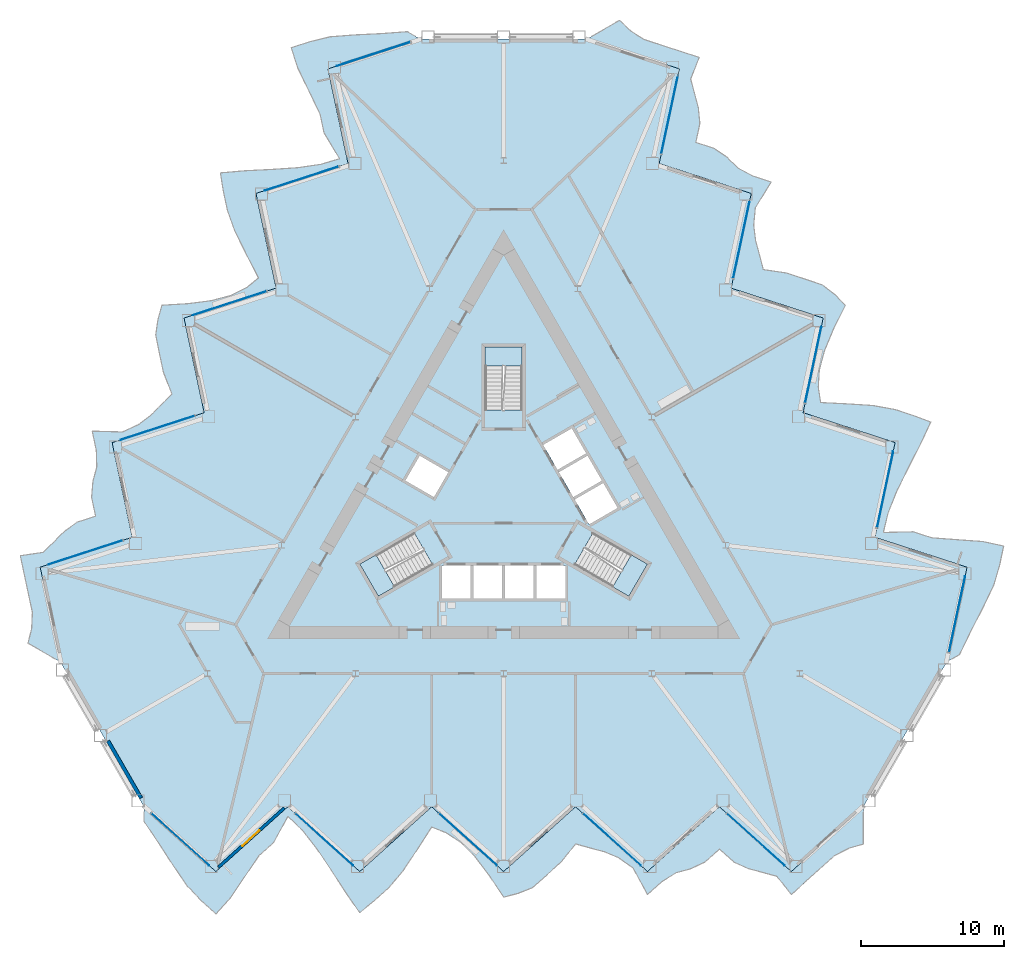
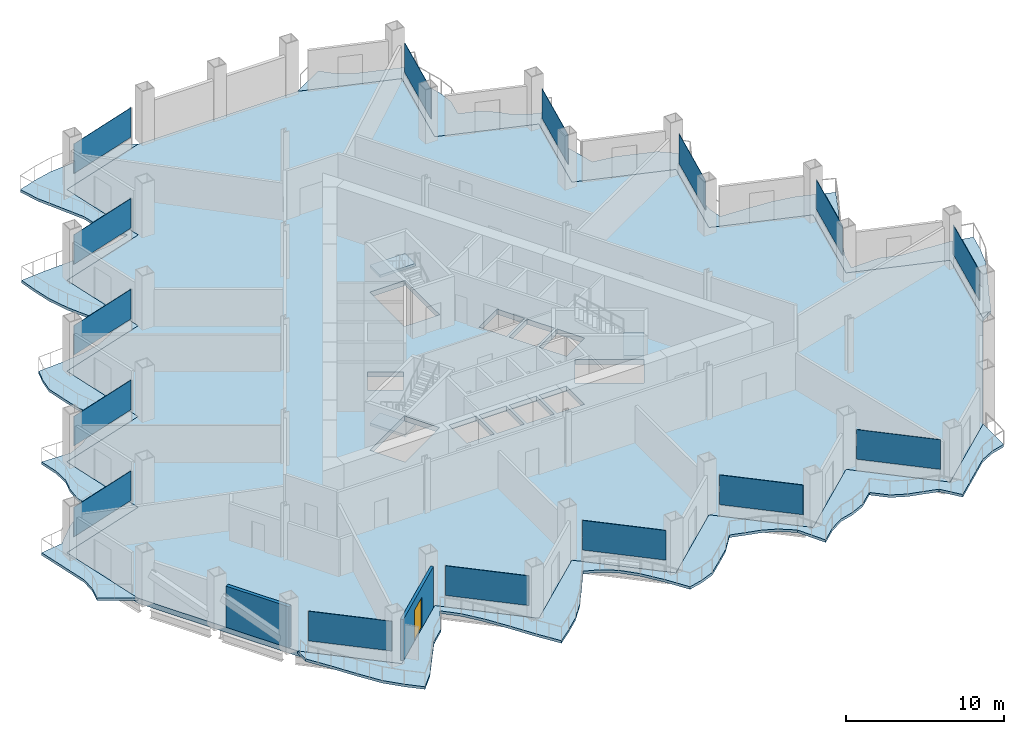
# One storey, part 9 of 21: 15 plates, 7 slabs, 2 walls, 1 door, 1 opening, 18 elements without a shape of their own.
"""IFC4 building model written with IfcOpenShell, lengths in metres."""

from ifc_helpers import new_model, si_unit, direction, frame, frame_2d, origin, origin_2d, place, context, subcontext, project, spatial, polyline, rectangle, outline, extrude, material, layer, layer_set, type_object, element, fill, aggregate, save


model = new_model("IFC4")

# Units and contexts
model_context = context("Model", 3, precision=1e-05, world=origin(), true_north=direction((0.0, 1.0)))
body_context = subcontext(model_context, "Body", "Model", "MODEL_VIEW")
ifc_project = project(units=[si_unit("LENGTHUNIT", "METRE"), si_unit("AREAUNIT", "SQUARE_METRE"), si_unit("VOLUMEUNIT", "CUBIC_METRE"), si_unit("PLANEANGLEUNIT", "RADIAN"), si_unit("MASSUNIT", "GRAM", prefix="KILO")], contexts=[model_context])

# Site, building, storey
site_placement = place(None, origin())
site = spatial("IfcSite", under=ifc_project, at=site_placement, CompositionType="ELEMENT")
building_placement = place(site_placement, origin())
building = spatial("IfcBuilding", under=site, at=building_placement, Name="Cormorant Prow Tower", CompositionType="ELEMENT")
storey_placement = place(building_placement, frame((0.0, 0.0, 120.60009765625)))
storey = spatial("IfcBuildingStorey", under=building, at=storey_placement, Name="L25", CompositionType="ELEMENT", Elevation=120.60009765625)

# Slabs
ifc_material_1 = material(Name="Concrete C40/50", Category="concrete")
ifc_layer_1 = layer(ifc_material_1, 0.199951171875)
ifc_layer_set_1 = layer_set([ifc_layer_1], Name="Concrete C40/50")
slab_type_1 = type_object("IfcSlabType", Name="Balcony slab 200", PredefinedType="FLOOR", material=ifc_layer_set_1)
slab_1_placement = place(storey_placement, frame((0.0, 0.0, -0.2001953125)))
element("IfcSlab", 1, at=slab_1_placement, inside=storey, type_object=slab_type_1, Name="Balcony slab S L25", PredefinedType="FLOOR", context=body_context, shape_type="SweptSolid", body=[
    extrude(outline(polyline([(-25.090087890625, -21.225341796875), (-25.090087890625, -22.241455078125), (-24.086669921875, -23.713623046875), (-23.0830078125, -25.2724609375), (-22.079345703125, -26.738037109375), (-21.07568359375, -27.7900390625), (-20.072021484375, -28.693603515625), (-19.068603515625, -27.58740234375), (-18.06494140625, -26.1025390625), (-17.061279296875, -24.6328125), (-16.0576171875, -23.72900390625), (-15.05419921875, -21.89892578125), (-14.050537109375, -22.848876953125), (-13.046875, -24.123046875), (-12.043212890625, -25.61962890625), (-11.039794921875, -27.17578125), (-10.0361328125, -28.6123046875), (-9.032470703125, -27.7900390625), (-8.02880859375, -26.886474609375), (-7.025146484375, -25.703125), (-6.021728515625, -24.19580078125), (-5.01806640625, -22.642578125), (-4.014404296875, -23.029541015625), (-3.0107421875, -23.69091796875), (-2.00732421875, -24.693359375), (-1.003662109375, -26.010009765625), (0.0, -27.527099609375), (1.003662109375, -27.26904296875), (2.00732421875, -26.865478515625), (3.0107421875, -25.982666015625), (4.014404296875, -25.0791015625), (5.01806640625, -23.81396484375), (6.021728515625, -24.09521484375), (7.025146484375, -24.3583984375), (8.02880859375, -24.779296875), (9.032470703125, -25.49072265625), (10.0361328125, -27.34375), (11.039794921875, -26.43994140625), (12.043212890625, -25.82080078125), (13.046875, -25.551513671875), (14.050537109375, -25.0791015625), (15.05419921875, -24.175537109375), (16.0576171875, -25.0791015625), (17.061279296875, -25.53466796875), (18.06494140625, -25.801513671875), (19.068603515625, -26.077880859375), (20.072021484375, -27.34375), (21.07568359375, -26.43994140625), (22.079345703125, -25.536376953125), (23.0830078125, -24.6328125), (24.086669921875, -24.1142578125), (25.090087890625, -23.829833984375), (25.090087890625, -21.225341796875), (24.086669921875, -22.129150390625), (23.0830078125, -23.03271484375), (22.079345703125, -23.936279296875), (21.07568359375, -24.840087890625), (20.072021484375, -25.74365234375), (19.068603515625, -24.840087890625), (18.06494140625, -23.936279296875), (17.061279296875, -23.03271484375), (16.0576171875, -22.129150390625), (15.05419921875, -21.225341796875), (14.050537109375, -22.129150390625), (13.046875, -23.03271484375), (12.043212890625, -23.936279296875), (11.039794921875, -24.840087890625), (10.0361328125, -25.74365234375), (9.032470703125, -24.840087890625), (8.02880859375, -23.936279296875), (7.025146484375, -23.03271484375), (6.021728515625, -22.129150390625), (5.01806640625, -21.225341796875), (4.014404296875, -22.129150390625), (3.0107421875, -23.03271484375), (2.00732421875, -23.936279296875), (1.003662109375, -24.840087890625), (0.0, -25.74365234375), (-1.003662109375, -24.840087890625), (-2.00732421875, -23.936279296875), (-3.0107421875, -23.03271484375), (-4.014404296875, -22.129150390625), (-5.01806640625, -21.225341796875), (-6.021728515625, -22.129150390625), (-7.025146484375, -23.03271484375), (-8.02880859375, -23.936279296875), (-9.032470703125, -24.840087890625), (-10.0361328125, -25.74365234375), (-11.039794921875, -24.840087890625), (-12.043212890625, -23.936279296875), (-13.046875, -23.03271484375), (-14.050537109375, -22.129150390625), (-15.05419921875, -21.225341796875), (-16.0576171875, -22.129150390625), (-17.061279296875, -23.03271484375), (-18.06494140625, -23.936279296875), (-19.068603515625, -24.840087890625), (-20.072021484375, -25.74365234375), (-21.07568359375, -24.840087890625), (-22.079345703125, -23.936279296875), (-23.0830078125, -23.03271484375), (-24.086669921875, -22.129150390625), (-25.090087890625, -21.225341796875)])), origin(), (0.0, 0.0, 1.0), 0.2001953125),
])
slab_2_placement = place(storey_placement, frame((0.0, 0.0, -0.2001953125)))
element("IfcSlab", 2, at=slab_2_placement, inside=storey, type_object=slab_type_1, Name="Balcony slab ENE L25", PredefinedType="FLOOR", context=body_context, shape_type="SweptSolid", body=[
    extrude(outline(polyline([(30.9267578125, -11.115966796875), (31.806884765625, -10.60791015625), (32.580078125, -9.002685546875), (33.42822265625, -7.354248046875), (34.1953125, -5.752197265625), (34.604736328125, -4.357177734375), (34.885498046875, -3.0361328125), (33.42578125, -2.719970703125), (31.637939453125, -2.59326171875), (29.86328125, -2.459228515625), (28.578857421875, -2.041748046875), (26.4921875, -2.087646484375), (26.81298828125, -0.74365234375), (27.414794921875, 0.7626953125), (28.208984375, 2.380126953125), (29.0546875, 4.02734375), (29.796875, 5.61474609375), (28.5830078125, 6.07275390625), (27.298828125, 6.489990234375), (25.772216796875, 6.767578125), (23.965087890625, 6.883056640625), (22.1181640625, 6.9755859375), (21.951171875, 8.0380859375), (22.022216796875, 9.238037109375), (22.388671875, 10.6083984375), (23.027099609375, 12.1357421875), (23.839111328125, 13.763671875), (23.11376953125, 14.503662109375), (22.2626953125, 15.171142578125), (20.996337890625, 15.598876953125), (19.7119140625, 16.01611328125), (18.114501953125, 16.252685546875), (17.856201171875, 17.262451171875), (17.58251953125, 18.26318359375), (17.445068359375, 19.3427734375), (17.559326171875, 20.567626953125), (18.662353515625, 22.36328125), (17.3779296875, 22.78076171875), (16.33984375, 23.340087890625), (15.604736328125, 24.07470703125), (14.69384765625, 24.70751953125), (13.409423828125, 25.125), (13.690185546875, 26.446044921875), (13.5830078125, 27.54296875), (13.312255859375, 28.54541015625), (13.050048828125, 29.552734375), (13.644287109375, 31.054931640625), (12.35986328125, 31.47216796875), (11.075439453125, 31.889404296875), (9.791015625, 32.306884765625), (8.84033203125, 32.916748046875), (8.092041015625, 33.6435546875), (5.836669921875, 32.341552734375), (7.12109375, 31.924072265625), (8.405517578125, 31.5068359375), (9.68994140625, 31.08935546875), (10.97412109375, 30.672119140625), (12.258544921875, 30.2548828125), (11.977783203125, 28.933837890625), (11.697021484375, 27.61279296875), (11.416259765625, 26.2919921875), (11.135498046875, 24.970947265625), (10.854736328125, 23.64990234375), (12.13916015625, 23.232666015625), (13.423583984375, 22.8154296875), (14.7080078125, 22.39794921875), (15.9921875, 21.980712890625), (17.276611328125, 21.563232421875), (16.995849609375, 20.242431640625), (16.715087890625, 18.92138671875), (16.434326171875, 17.600341796875), (16.153564453125, 16.279541015625), (15.872802734375, 14.95849609375), (17.1572265625, 14.541259765625), (18.441650390625, 14.123779296875), (19.725830078125, 13.70654296875), (21.01025390625, 13.2890625), (22.294677734375, 12.871826171875), (22.013916015625, 11.55078125), (21.733154296875, 10.22998046875), (21.452392578125, 8.908935546875), (21.171630859375, 7.587890625), (20.890869140625, 6.26708984375), (22.17529296875, 5.849609375), (23.45947265625, 5.432373046875), (24.743896484375, 5.014892578125), (26.0283203125, 4.59765625), (27.312744140625, 4.180419921875), (27.031982421875, 2.859375), (26.751220703125, 1.538330078125), (26.470458984375, 0.217529296875), (26.189697265625, -1.103515625), (25.908935546875, -2.424560546875), (27.193115234375, -2.841796875), (28.4775390625, -3.25927734375), (29.761962890625, -3.676513671875), (31.04638671875, -4.09375), (32.330810546875, -4.51123046875), (32.050048828125, -5.83203125), (31.769287109375, -7.153076171875), (31.488525390625, -8.47412109375), (31.20751953125, -9.794921875), (30.9267578125, -11.115966796875)])), origin(), (0.0, 0.0, 1.0), 0.2001953125),
])
slab_3_placement = place(storey_placement, frame((0.0, 0.0, -0.2001953125)))
element("IfcSlab", 3, at=slab_3_placement, inside=storey, type_object=slab_type_1, Name="Balcony slab WNW L25", PredefinedType="FLOOR", context=body_context, shape_type="SweptSolid", body=[
    extrude(outline(polyline([(-5.836669921875, 32.341552734375), (-6.716552734375, 32.849609375), (-8.493408203125, 32.716552734375), (-10.34521484375, 32.626708984375), (-12.115966796875, 32.490234375), (-13.529052734375, 32.147216796875), (-14.8134765625, 31.729736328125), (-14.357177734375, 30.3076171875), (-13.572998046875, 28.696044921875), (-12.802001953125, 27.091796875), (-12.521240234375, 25.77099609375), (-11.43798828125, 23.98681640625), (-12.762451171875, 23.592529296875), (-14.36767578125, 23.360595703125), (-16.165771484375, 23.23974609375), (-18.01513671875, 23.1484375), (-19.760986328125, 22.99755859375), (-19.550537109375, 21.71728515625), (-19.269775390625, 20.396484375), (-18.7470703125, 18.935546875), (-17.943359375, 17.312744140625), (-17.10009765625, 15.6669921875), (-17.936767578125, 14.9912109375), (-19.011474609375, 14.452880859375), (-20.381591796875, 14.0849609375), (-22.0234375, 13.8740234375), (-23.839111328125, 13.763671875), (-24.117431640625, 12.765380859375), (-24.269775390625, 11.694580078125), (-24.007080078125, 10.384033203125), (-23.726318359375, 9.06298828125), (-23.132568359375, 7.561279296875), (-23.8779296875, 6.832763671875), (-24.607666015625, 6.09521484375), (-25.47412109375, 5.4365234375), (-26.591796875, 4.923095703125), (-28.698486328125, 4.98046875), (-28.41748046875, 3.659423828125), (-28.383056640625, 2.48046875), (-28.651611328125, 1.476806640625), (-28.744384765625, 0.37158203125), (-28.463623046875, -0.949462890625), (-29.748046875, -1.366943359375), (-30.644287109375, -2.008056640625), (-31.377197265625, -2.743896484375), (-32.118408203125, -3.474853515625), (-33.71630859375, -3.711181640625), (-33.435546875, -5.031982421875), (-33.15478515625, -6.35302734375), (-32.8740234375, -7.674072265625), (-32.927001953125, -8.802490234375), (-33.182373046875, -9.813720703125), (-30.9267578125, -11.115966796875), (-31.20751953125, -9.794921875), (-31.488525390625, -8.47412109375), (-31.769287109375, -7.153076171875), (-32.050048828125, -5.83203125), (-32.330810546875, -4.51123046875), (-31.04638671875, -4.09375), (-29.761962890625, -3.676513671875), (-28.4775390625, -3.25927734375), (-27.193115234375, -2.841796875), (-25.908935546875, -2.424560546875), (-26.189697265625, -1.103515625), (-26.470458984375, 0.217529296875), (-26.751220703125, 1.538330078125), (-27.031982421875, 2.859375), (-27.312744140625, 4.180419921875), (-26.0283203125, 4.59765625), (-24.743896484375, 5.014892578125), (-23.45947265625, 5.432373046875), (-22.17529296875, 5.849609375), (-20.890869140625, 6.26708984375), (-21.171630859375, 7.587890625), (-21.452392578125, 8.908935546875), (-21.733154296875, 10.22998046875), (-22.013916015625, 11.55078125), (-22.294677734375, 12.871826171875), (-21.01025390625, 13.2890625), (-19.725830078125, 13.70654296875), (-18.441650390625, 14.123779296875), (-17.1572265625, 14.541259765625), (-15.872802734375, 14.95849609375), (-16.153564453125, 16.279541015625), (-16.434326171875, 17.600341796875), (-16.715087890625, 18.92138671875), (-16.995849609375, 20.242431640625), (-17.276611328125, 21.563232421875), (-15.9921875, 21.980712890625), (-14.7080078125, 22.39794921875), (-13.423583984375, 22.8154296875), (-12.13916015625, 23.232666015625), (-10.854736328125, 23.64990234375), (-11.135498046875, 24.970947265625), (-11.416259765625, 26.2919921875), (-11.697021484375, 27.61279296875), (-11.977783203125, 28.933837890625), (-12.258544921875, 30.2548828125), (-10.97412109375, 30.672119140625), (-9.68994140625, 31.08935546875), (-8.405517578125, 31.5068359375), (-7.12109375, 31.924072265625), (-5.836669921875, 32.341552734375)])), origin(), (0.0, 0.0, 1.0), 0.2001953125),
])

# Curtain wall, plate
ifc_material_2 = material(Name="Aluminium 6063-T6", Category="aluminium")
ifc_layer_2 = layer(ifc_material_2, 0.199951171875)
ifc_layer_set_2 = layer_set([ifc_layer_2], Name="Aluminium 6063-T6")
curtain_wall_type = type_object("IfcCurtainWallType", Name="Office unitised curtain wall 200", PredefinedType="NOTDEFINED", material=ifc_layer_set_2)
curtain_wall_1_placement = place(storey_placement, origin())
curtain_wall_1 = element("IfcCurtainWall", 4, at=curtain_wall_1_placement, inside=storey, type_object=curtain_wall_type, Name="Office curtain wall S00", PredefinedType="NOTDEFINED")
ifc_material_3 = material(Name="Clear glass", Category="glass")
ifc_layer_3 = layer(ifc_material_3, 0.031982421875)
ifc_layer_set_3 = layer_set([ifc_layer_3], Name="Clear glass")
plate_type = type_object("IfcPlateType", Name="Office glass panel 32", PredefinedType="CURTAIN_PANEL", material=ifc_layer_set_3)
plate_1_placement = place(storey_placement, frame((-22.558837890625, -23.504638671875, 0.89990234375), z_axis=(0.0, 0.0, 1.0), x_axis=(0.74314483343, -0.669130597526, 0.0)))
plate_1 = element("IfcPlate", 5, at=plate_1_placement, type_object=plate_type, Name="Office glass panel S00", PredefinedType="CURTAIN_PANEL", context=body_context, shape_type="SweptSolid", body=[
    extrude(rectangle(XDim=5.42041015625, YDim=0.031982421875, at=origin_2d()), origin(), (0.0, 0.0, 1.0), 2.288818359375),
])
aggregate(curtain_wall_1, [plate_1])

curtain_wall_2_placement = place(storey_placement, origin())
curtain_wall_2 = element("IfcCurtainWall", 6, at=curtain_wall_2_placement, inside=storey, type_object=curtain_wall_type, Name="Office curtain wall S02", PredefinedType="NOTDEFINED")
plate_2_placement = place(storey_placement, frame((-12.522705078125, -23.504638671875, 0.89990234375), z_axis=(0.0, 0.0, 1.0), x_axis=(0.74314483343, -0.669130597526, 0.0)))
plate_2 = element("IfcPlate", 7, at=plate_2_placement, type_object=plate_type, Name="Office glass panel S02", PredefinedType="CURTAIN_PANEL", context=body_context, shape_type="SweptSolid", body=[
    extrude(rectangle(XDim=5.42041015625, YDim=0.031982421875, at=origin_2d()), origin(), (0.0, 0.0, 1.0), 2.288818359375),
])
aggregate(curtain_wall_2, [plate_2])

curtain_wall_3_placement = place(storey_placement, origin())
curtain_wall_3 = element("IfcCurtainWall", 8, at=curtain_wall_3_placement, inside=storey, type_object=curtain_wall_type, Name="Office curtain wall S04", PredefinedType="NOTDEFINED")
plate_3_placement = place(storey_placement, frame((-2.48681640625, -23.504638671875, 0.89990234375), z_axis=(0.0, 0.0, 1.0), x_axis=(0.74314483343, -0.669130597526, 0.0)))
plate_3 = element("IfcPlate", 9, at=plate_3_placement, type_object=plate_type, Name="Office glass panel S04", PredefinedType="CURTAIN_PANEL", context=body_context, shape_type="SweptSolid", body=[
    extrude(rectangle(XDim=5.42041015625, YDim=0.031982421875, at=origin_2d()), origin(), (0.0, 0.0, 1.0), 2.288818359375),
])
aggregate(curtain_wall_3, [plate_3])

curtain_wall_4_placement = place(storey_placement, origin())
curtain_wall_4 = element("IfcCurtainWall", 10, at=curtain_wall_4_placement, inside=storey, type_object=curtain_wall_type, Name="Office curtain wall S06", PredefinedType="NOTDEFINED")
plate_4_placement = place(storey_placement, frame((7.54931640625, -23.504638671875, 0.89990234375), z_axis=(0.0, 0.0, 1.0), x_axis=(0.74314483343, -0.669130597526, 0.0)))
plate_4 = element("IfcPlate", 11, at=plate_4_placement, type_object=plate_type, Name="Office glass panel S06", PredefinedType="CURTAIN_PANEL", context=body_context, shape_type="SweptSolid", body=[
    extrude(rectangle(XDim=5.42041015625, YDim=0.031982421875, at=origin_2d()), origin(), (0.0, 0.0, 1.0), 2.288818359375),
])
aggregate(curtain_wall_4, [plate_4])

curtain_wall_5_placement = place(storey_placement, origin())
curtain_wall_5 = element("IfcCurtainWall", 12, at=curtain_wall_5_placement, inside=storey, type_object=curtain_wall_type, Name="Office curtain wall S08", PredefinedType="NOTDEFINED")
plate_5_placement = place(storey_placement, frame((17.58544921875, -23.504638671875, 0.89990234375), z_axis=(0.0, 0.0, 1.0), x_axis=(0.74314483343, -0.669130597526, 0.0)))
plate_5 = element("IfcPlate", 13, at=plate_5_placement, type_object=plate_type, Name="Office glass panel S08", PredefinedType="CURTAIN_PANEL", context=body_context, shape_type="SweptSolid", body=[
    extrude(rectangle(XDim=5.42041015625, YDim=0.031982421875, at=origin_2d()), origin(), (0.0, 0.0, 1.0), 2.288818359375),
])
aggregate(curtain_wall_5, [plate_5])

curtain_wall_6_placement = place(storey_placement, origin())
curtain_wall_6 = element("IfcCurtainWall", 14, at=curtain_wall_6_placement, inside=storey, type_object=curtain_wall_type, Name="Office curtain wall ENE00", PredefinedType="NOTDEFINED")
plate_6_placement = place(storey_placement, frame((31.635009765625, -7.7841796875, 0.89990234375), z_axis=(0.0, 0.0, 1.0), x_axis=(0.207911647216, 0.978147610002, 0.0)))
plate_6 = element("IfcPlate", 15, at=plate_6_placement, type_object=plate_type, Name="Office glass panel ENE00", PredefinedType="CURTAIN_PANEL", context=body_context, shape_type="SweptSolid", body=[
    extrude(rectangle(XDim=5.42041015625, YDim=0.031982421875, at=origin_2d()), origin(), (0.0, 0.0, 1.0), 2.288818359375),
])
aggregate(curtain_wall_6, [plate_6])

curtain_wall_7_placement = place(storey_placement, origin())
curtain_wall_7 = element("IfcCurtainWall", 16, at=curtain_wall_7_placement, inside=storey, type_object=curtain_wall_type, Name="Office curtain wall ENE02", PredefinedType="NOTDEFINED")
plate_7_placement = place(storey_placement, frame((26.616943359375, 0.9072265625, 0.89990234375), z_axis=(0.0, 0.0, 1.0), x_axis=(0.207911647216, 0.978147610002, 0.0)))
plate_7 = element("IfcPlate", 17, at=plate_7_placement, type_object=plate_type, Name="Office glass panel ENE02", PredefinedType="CURTAIN_PANEL", context=body_context, shape_type="SweptSolid", body=[
    extrude(rectangle(XDim=5.42041015625, YDim=0.031982421875, at=origin_2d()), origin(), (0.0, 0.0, 1.0), 2.288818359375),
])
aggregate(curtain_wall_7, [plate_7])

curtain_wall_8_placement = place(storey_placement, origin())
curtain_wall_8 = element("IfcCurtainWall", 18, at=curtain_wall_8_placement, inside=storey, type_object=curtain_wall_type, Name="Office curtain wall ENE04", PredefinedType="NOTDEFINED")
plate_8_placement = place(storey_placement, frame((21.598876953125, 9.598876953125, 0.89990234375), z_axis=(0.0, 0.0, 1.0), x_axis=(0.207911647216, 0.978147610002, 0.0)))
plate_8 = element("IfcPlate", 19, at=plate_8_placement, type_object=plate_type, Name="Office glass panel ENE04", PredefinedType="CURTAIN_PANEL", context=body_context, shape_type="SweptSolid", body=[
    extrude(rectangle(XDim=5.42041015625, YDim=0.031982421875, at=origin_2d()), origin(), (0.0, 0.0, 1.0), 2.288818359375),
])
aggregate(curtain_wall_8, [plate_8])

curtain_wall_9_placement = place(storey_placement, origin())
curtain_wall_9 = element("IfcCurtainWall", 20, at=curtain_wall_9_placement, inside=storey, type_object=curtain_wall_type, Name="Office curtain wall ENE06", PredefinedType="NOTDEFINED")
plate_9_placement = place(storey_placement, frame((16.5810546875, 18.290283203125, 0.89990234375), z_axis=(0.0, 0.0, 1.0), x_axis=(0.207911647216, 0.978147610002, 0.0)))
plate_9 = element("IfcPlate", 21, at=plate_9_placement, type_object=plate_type, Name="Office glass panel ENE06", PredefinedType="CURTAIN_PANEL", context=body_context, shape_type="SweptSolid", body=[
    extrude(rectangle(XDim=5.42041015625, YDim=0.031982421875, at=origin_2d()), origin(), (0.0, 0.0, 1.0), 2.288818359375),
])
aggregate(curtain_wall_9, [plate_9])

curtain_wall_10_placement = place(storey_placement, origin())
curtain_wall_10 = element("IfcCurtainWall", 22, at=curtain_wall_10_placement, inside=storey, type_object=curtain_wall_type, Name="Office curtain wall ENE08", PredefinedType="NOTDEFINED")
plate_10_placement = place(storey_placement, frame((11.56298828125, 26.981689453125, 0.89990234375), z_axis=(0.0, 0.0, 1.0), x_axis=(0.207911647216, 0.978147610002, 0.0)))
plate_10 = element("IfcPlate", 23, at=plate_10_placement, type_object=plate_type, Name="Office glass panel ENE08", PredefinedType="CURTAIN_PANEL", context=body_context, shape_type="SweptSolid", body=[
    extrude(rectangle(XDim=5.42041015625, YDim=0.031982421875, at=origin_2d()), origin(), (0.0, 0.0, 1.0), 2.288818359375),
])
aggregate(curtain_wall_10, [plate_10])

curtain_wall_11_placement = place(storey_placement, origin())
curtain_wall_11 = element("IfcCurtainWall", 24, at=curtain_wall_11_placement, inside=storey, type_object=curtain_wall_type, Name="Office curtain wall WNW00", PredefinedType="NOTDEFINED")
plate_11_placement = place(storey_placement, frame((-9.076171875, 31.288818359375, 0.89990234375), z_axis=(0.0, 0.0, 1.0), x_axis=(-0.951056506231, -0.309017025349, 0.0)))
plate_11 = element("IfcPlate", 25, at=plate_11_placement, type_object=plate_type, Name="Office glass panel WNW00", PredefinedType="CURTAIN_PANEL", context=body_context, shape_type="SweptSolid", body=[
    extrude(rectangle(XDim=5.42041015625, YDim=0.031982421875, at=origin_2d()), origin(), (0.0, 0.0, 1.0), 2.288818359375),
])
aggregate(curtain_wall_11, [plate_11])

curtain_wall_12_placement = place(storey_placement, origin())
curtain_wall_12 = element("IfcCurtainWall", 26, at=curtain_wall_12_placement, inside=storey, type_object=curtain_wall_type, Name="Office curtain wall WNW02", PredefinedType="NOTDEFINED")
plate_12_placement = place(storey_placement, frame((-14.09423828125, 22.597412109375, 0.89990234375), z_axis=(0.0, 0.0, 1.0), x_axis=(-0.951056506231, -0.309017025349, 0.0)))
plate_12 = element("IfcPlate", 27, at=plate_12_placement, type_object=plate_type, Name="Office glass panel WNW02", PredefinedType="CURTAIN_PANEL", context=body_context, shape_type="SweptSolid", body=[
    extrude(rectangle(XDim=5.42041015625, YDim=0.031982421875, at=origin_2d()), origin(), (0.0, 0.0, 1.0), 2.288818359375),
])
aggregate(curtain_wall_12, [plate_12])

curtain_wall_13_placement = place(storey_placement, origin())
curtain_wall_13 = element("IfcCurtainWall", 28, at=curtain_wall_13_placement, inside=storey, type_object=curtain_wall_type, Name="Office curtain wall WNW04", PredefinedType="NOTDEFINED")
plate_13_placement = place(storey_placement, frame((-19.1123046875, 13.906005859375, 0.89990234375), z_axis=(0.0, 0.0, 1.0), x_axis=(-0.951056506231, -0.309017025349, 0.0)))
plate_13 = element("IfcPlate", 29, at=plate_13_placement, type_object=plate_type, Name="Office glass panel WNW04", PredefinedType="CURTAIN_PANEL", context=body_context, shape_type="SweptSolid", body=[
    extrude(rectangle(XDim=5.42041015625, YDim=0.031982421875, at=origin_2d()), origin(), (0.0, 0.0, 1.0), 2.288818359375),
])
aggregate(curtain_wall_13, [plate_13])

curtain_wall_14_placement = place(storey_placement, origin())
curtain_wall_14 = element("IfcCurtainWall", 30, at=curtain_wall_14_placement, inside=storey, type_object=curtain_wall_type, Name="Office curtain wall WNW06", PredefinedType="NOTDEFINED")
plate_14_placement = place(storey_placement, frame((-24.13037109375, 5.21435546875, 0.89990234375), z_axis=(0.0, 0.0, 1.0), x_axis=(-0.951056549756, -0.309016891394, 0.0)))
plate_14 = element("IfcPlate", 31, at=plate_14_placement, type_object=plate_type, Name="Office glass panel WNW06", PredefinedType="CURTAIN_PANEL", context=body_context, shape_type="SweptSolid", body=[
    extrude(rectangle(XDim=5.42041015625, YDim=0.031982421875, at=origin_2d()), origin(), (0.0, 0.0, 1.0), 2.288818359375),
])
aggregate(curtain_wall_14, [plate_14])

curtain_wall_15_placement = place(storey_placement, origin())
curtain_wall_15 = element("IfcCurtainWall", 32, at=curtain_wall_15_placement, inside=storey, type_object=curtain_wall_type, Name="Office curtain wall WNW08", PredefinedType="NOTDEFINED")
plate_15_placement = place(storey_placement, frame((-29.1484375, -3.47705078125, 0.89990234375), z_axis=(0.0, 0.0, 1.0), x_axis=(-0.951056506231, -0.309017025349, 0.0)))
plate_15 = element("IfcPlate", 33, at=plate_15_placement, type_object=plate_type, Name="Office glass panel WNW08", PredefinedType="CURTAIN_PANEL", context=body_context, shape_type="SweptSolid", body=[
    extrude(rectangle(XDim=5.42041015625, YDim=0.031982421875, at=origin_2d()), origin(), (0.0, 0.0, 1.0), 2.288818359375),
])
aggregate(curtain_wall_15, [plate_15])

# Slab
ifc_material_4 = material(Name="Concrete C40/50", Category="concrete")
ifc_layer_4 = layer(ifc_material_4, 0.39990234375)
ifc_layer_set_4 = layer_set([ifc_layer_4], Name="Concrete C40/50")
slab_type_2 = type_object("IfcSlabType", Name="Post-tensioned flat slab 400", PredefinedType="FLOOR", material=ifc_layer_set_4)
slab_4_placement = place(storey_placement, frame((0.0, 0.0, -0.400146484375)))
element("IfcSlab", 34, at=slab_4_placement, inside=storey, type_object=slab_type_2, Name="Floor slab L25", PredefinedType="FLOOR", context=body_context, shape_type="SweptSolid", body=[
    extrude(outline(polyline([(-12.258544921875, 30.2548828125), (-10.854736328125, 23.64990234375), (-17.276611328125, 21.563232421875), (-15.872802734375, 14.95849609375), (-22.294677734375, 12.871826171875), (-20.890869140625, 6.26708984375), (-27.312744140625, 4.180419921875), (-25.908935546875, -2.424560546875), (-32.330810546875, -4.51123046875), (-30.9267578125, -11.115966796875), (-28.008544921875, -16.170654296875), (-25.090087890625, -21.225341796875), (-20.072021484375, -25.74365234375), (-15.05419921875, -21.225341796875), (-10.0361328125, -25.74365234375), (-5.01806640625, -21.225341796875), (0.0, -25.74365234375), (5.01806640625, -21.225341796875), (10.0361328125, -25.74365234375), (15.05419921875, -21.225341796875), (20.072021484375, -25.74365234375), (25.090087890625, -21.225341796875), (28.008544921875, -16.170654296875), (30.9267578125, -11.115966796875), (32.330810546875, -4.51123046875), (25.908935546875, -2.424560546875), (27.312744140625, 4.180419921875), (20.890869140625, 6.26708984375), (22.294677734375, 12.871826171875), (15.872802734375, 14.95849609375), (17.276611328125, 21.563232421875), (10.854736328125, 23.64990234375), (12.258544921875, 30.2548828125), (5.836669921875, 32.341552734375), (0.0, 32.341552734375), (-5.836669921875, 32.341552734375), (-12.258544921875, 30.2548828125)]), holes=[polyline([(-4.300048828125, -6.699951171875), (-4.300048828125, -4.39990234375), (-2.300048828125, -4.39990234375), (-2.300048828125, -6.699951171875), (-4.300048828125, -6.699951171875)]), polyline([(-2.10009765625, -4.39990234375), (-0.10009765625, -4.39990234375), (-0.10009765625, -6.699951171875), (-2.10009765625, -6.699951171875), (-2.10009765625, -4.39990234375)]), polyline([(2.10009765625, -4.39990234375), (2.10009765625, -6.699951171875), (0.10009765625, -6.699951171875), (0.10009765625, -4.39990234375), (2.10009765625, -4.39990234375)]), polyline([(4.300048828125, -6.699951171875), (2.300048828125, -6.699951171875), (2.300048828125, -4.39990234375), (4.300048828125, -4.39990234375), (4.300048828125, -6.699951171875)]), polyline([(7.952392578125, -0.373779296875), (5.96044921875, -1.52392578125), (4.96044921875, 0.2080078125), (6.952392578125, 1.358154296875), (7.952392578125, -0.373779296875)]), polyline([(4.860595703125, 0.38134765625), (3.860595703125, 2.11328125), (5.852294921875, 3.263427734375), (6.852294921875, 1.53125), (4.860595703125, 0.38134765625)]), polyline([(2.760498046875, 4.018798828125), (4.75244140625, 5.168701171875), (5.75244140625, 3.4365234375), (3.760498046875, 2.28662109375), (2.760498046875, 4.018798828125)]), polyline([(-6.852294921875, 1.53125), (-5.852294921875, 3.263427734375), (-3.860595703125, 2.11328125), (-4.860595703125, 0.38134765625), (-6.852294921875, 1.53125)]), polyline([(-4.947509765625, -4.3505859375), (-8.738037109375, -6.5390625), (-10.031982421875, -4.2978515625), (-6.241455078125, -2.109375), (-4.947509765625, -4.3505859375)]), polyline([(10.031982421875, -4.2978515625), (8.738037109375, -6.5390625), (4.947509765625, -4.3505859375), (6.241455078125, -2.109375), (10.031982421875, -4.2978515625)]), polyline([(1.2939453125, 10.8369140625), (1.2939453125, 6.459716796875), (-1.2939453125, 6.459716796875), (-1.2939453125, 10.8369140625), (1.2939453125, 10.8369140625)])]), origin(), (0.0, 0.0, 1.0), 0.400146484375),
])

# Stair, slab
ifc_material_5 = material(Name="Exit stair 24 risers")
stair_type = type_object("IfcStairType", Name="Exit stair 24 risers", PredefinedType="HALF_TURN_STAIR", material=ifc_material_5)
stair_1_placement = place(storey_placement, origin())
stair_1 = element("IfcStair", 35, at=stair_1_placement, inside=storey, type_object=stair_type, Name="L25 Exit stair ST1", PredefinedType="HALF_TURN_STAIR")
ifc_material_6 = material(Name="Concrete 5000 psi", Category="concrete")
ifc_layer_5 = layer(ifc_material_6, 0.199951171875)
ifc_layer_set_5 = layer_set([ifc_layer_5], Name="Concrete 5000 psi")
slab_type_3 = type_object("IfcSlabType", Name="Stair landing 200", PredefinedType="LANDING", material=ifc_layer_set_5)
slab_5_placement = place(storey_placement, frame((0.0, 0.0, 1.89990234375)))
slab_5 = element("IfcSlab", 36, at=slab_5_placement, type_object=slab_type_3, Name="ST1 landing 1", PredefinedType="LANDING", context=body_context, shape_type="SweptSolid", body=[
    extrude(outline(polyline([(-8.90185546875, -3.645263671875), (-10.031982421875, -4.2978515625), (-8.738037109375, -6.5390625), (-7.60791015625, -5.886474609375), (-8.90185546875, -3.645263671875)])), origin(), (0.0, 0.0, 1.0), 0.199951171875),
])
aggregate(stair_1, [slab_5])

stair_2_placement = place(storey_placement, origin())
stair_2 = element("IfcStair", 37, at=stair_2_placement, inside=storey, type_object=stair_type, Name="L25 Exit stair ST2", PredefinedType="HALF_TURN_STAIR")
slab_6_placement = place(storey_placement, frame((0.0, 0.0, 1.89990234375)))
slab_6 = element("IfcSlab", 38, at=slab_6_placement, type_object=slab_type_3, Name="ST2 landing 1", PredefinedType="LANDING", context=body_context, shape_type="SweptSolid", body=[
    extrude(outline(polyline([(7.60791015625, -5.886474609375), (8.738037109375, -6.5390625), (10.031982421875, -4.2978515625), (8.90185546875, -3.645263671875), (7.60791015625, -5.886474609375)])), origin(), (0.0, 0.0, 1.0), 0.199951171875),
])
aggregate(stair_2, [slab_6])

stair_3_placement = place(storey_placement, origin())
stair_3 = element("IfcStair", 39, at=stair_3_placement, inside=storey, type_object=stair_type, Name="L25 Exit stair ST3", PredefinedType="HALF_TURN_STAIR")
slab_7_placement = place(storey_placement, frame((0.0, 0.0, 1.89990234375)))
slab_7 = element("IfcSlab", 40, at=slab_7_placement, type_object=slab_type_3, Name="ST3 landing 1", PredefinedType="LANDING", context=body_context, shape_type="SweptSolid", body=[
    extrude(outline(polyline([(1.2939453125, 9.53173828125), (1.2939453125, 10.8369140625), (-1.2939453125, 10.8369140625), (-1.2939453125, 9.53173828125), (1.2939453125, 9.53173828125)])), origin(), (0.0, 0.0, 1.0), 0.199951171875),
])
aggregate(stair_3, [slab_7])

# Wall
ifc_material_7 = material(Name="Terracotta", Category="masonry")
ifc_layer_6 = layer(ifc_material_7, 0.25)
ifc_layer_set_6 = layer_set([ifc_layer_6], Name="Terracotta")
wall_type_1 = type_object("IfcWallType", Name="Terracotta bay wall 250", PredefinedType="SOLIDWALL", material=ifc_layer_set_6)
wall_1_placement = place(storey_placement, frame((-27.597900390625, -16.6318359375, 0.0), z_axis=(0.0, 0.0, 1.0), x_axis=(0.500018268964, -0.866014855936, 0.0)))
element("IfcWall", 41, at=wall_1_placement, inside=storey, type_object=wall_type_1, Name="Terracotta bay wall WSW01", PredefinedType="SOLIDWALL", context=body_context, shape_type="SweptSolid", body=[
    extrude(rectangle(XDim=4.595947265625, YDim=0.25, at=frame_2d((2.2978515625, 0.0))), origin(), (0.0, 0.0, 1.0), 3.188720703125),
])

# Wall, opening, door
ifc_material_8 = material(Name="Terracotta", Category="masonry")
ifc_layer_7 = layer(ifc_material_8, 0.199951171875)
ifc_layer_set_7 = layer_set([ifc_layer_7], Name="Terracotta")
wall_type_2 = type_object("IfcWallType", Name="Terracotta jamb wall 200", PredefinedType="SOLIDWALL", material=ifc_layer_set_7)
wall_2_placement = place(storey_placement, frame((-19.896240234375, -25.45068359375, 0.0), z_axis=(0.0, 0.0, 1.0), x_axis=(0.743162487272, 0.669110990428, 0.0)))
wall_2 = element("IfcWall", 42, at=wall_2_placement, inside=storey, type_object=wall_type_2, Name="Terracotta jamb wall S01", PredefinedType="SOLIDWALL", context=body_context, shape_type="SweptSolid", body=[
    extrude(rectangle(XDim=6.178466796875, YDim=0.199951171875, at=frame_2d((3.08935546875, 0.0))), origin(), (0.0, 0.0, 1.0), 3.188720703125),
])
opening_placement = place(wall_2_placement, frame((2.24951171875, 0.0, 0.0)))
opening = element("IfcOpeningElement", 43, at=opening_placement, cuts=wall_2, Name="Opening ED25.01", PredefinedType="OPENING", context=body_context, shape_type="SweptSolid", body=[
    extrude(rectangle(XDim=1.60009765625, YDim=2.39990234375, at=frame_2d((0.800048828125, 1.199951171875))), frame((0.0, 0.10986328125, 0.0), z_axis=(0.0, -1.0, 0.0), x_axis=(1.0, 0.0, 0.0)), (0.0, 0.0, 1.0), 0.219970703125),
])
ifc_material_9 = material(Name="Aluminium 6063-T6", Category="aluminium")
door_type = type_object("IfcDoorType", Name="Balcony door 1600x2400", OperationType="DOUBLE_DOOR_SINGLE_SWING", PredefinedType="DOOR", material=ifc_material_9)
door_placement = place(opening_placement, origin())
door = element("IfcDoor", 44, at=door_placement, inside=storey, type_object=door_type, Name="Balcony door S01 ED25.01", OperationType="DOUBLE_DOOR_SINGLE_SWING", OverallHeight=2.39990234375, OverallWidth=1.60009765625, PredefinedType="DOOR", context=body_context, shape_type="SweptSolid", body=[
    extrude(rectangle(XDim=1.60009765625, YDim=2.39990234375, at=frame_2d((0.800048828125, 1.199951171875))), frame((0.0, 0.02490234375, 0.0), z_axis=(0.0, -1.0, 0.0), x_axis=(1.0, 0.0, 0.0)), (0.0, 0.0, 1.0), 0.050048828125),
])
fill(opening, door)

save(model, "model.ifc")
